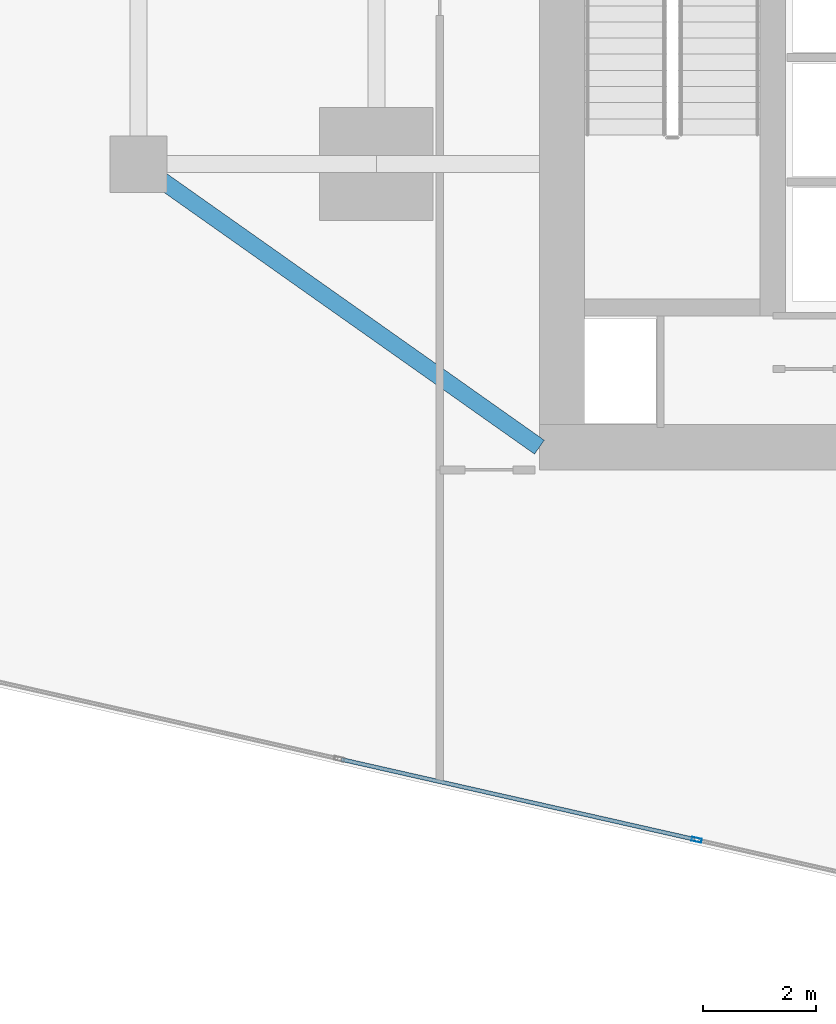
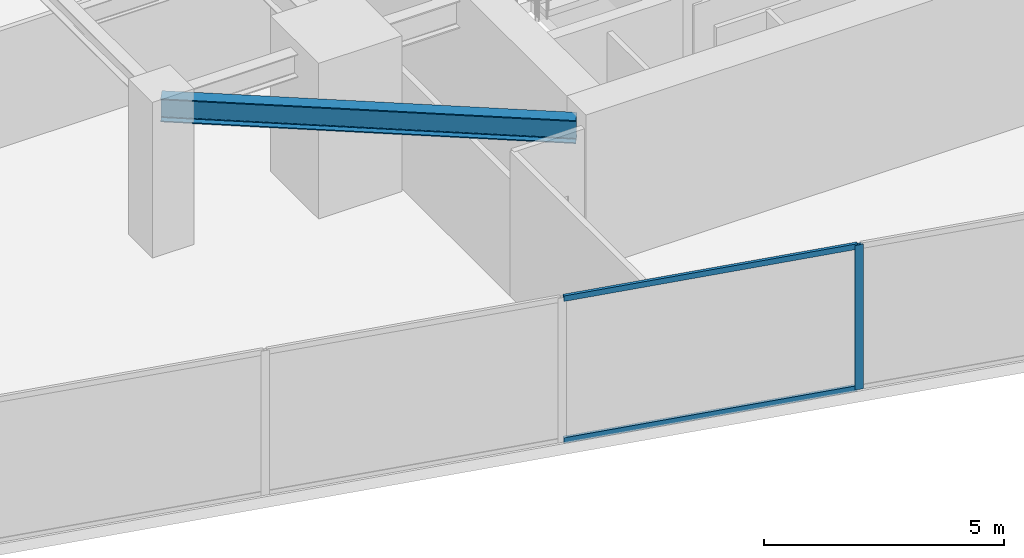
# One storey, part 4 of 26: 3 members, 1 beam, 1 element without a shape of its own.
"""IFC4 building model written with IfcOpenShell, lengths in metres."""

from ifc_helpers import new_model, si_unit, direction, frame, origin, origin_2d, place, context, subcontext, project, spatial, hollow_rectangle, i_section, extrude, source, transform, mapped, material, material_profile, profile_set, type_object, type_shapes, element, aggregate, save


model = new_model("IFC4")

# Units and contexts
model_context = context("Model", 3, precision=1e-05, world=origin(), true_north=direction((0.0, 1.0)))
body_context = subcontext(model_context, "Body", "Model", "MODEL_VIEW")
ifc_project = project(units=[si_unit("LENGTHUNIT", "METRE"), si_unit("AREAUNIT", "SQUARE_METRE"), si_unit("VOLUMEUNIT", "CUBIC_METRE"), si_unit("PLANEANGLEUNIT", "RADIAN"), si_unit("MASSUNIT", "GRAM", prefix="KILO")], contexts=[model_context])

# Site, building, storey
site_placement = place(None, origin())
site = spatial("IfcSite", under=ifc_project, at=site_placement, CompositionType="ELEMENT")
building_placement = place(site_placement, origin())
building = spatial("IfcBuilding", under=site, at=building_placement, Name="Krantzveldt Concourse Tower", CompositionType="ELEMENT")
storey_placement = place(building_placement, frame((0.0, 0.0, 90.050048828125)))
storey = spatial("IfcBuildingStorey", under=building, at=storey_placement, Name="L21", CompositionType="ELEMENT", Elevation=90.050048828125)

# Beam
ifc_material_1 = material(Name="Steel S355JR", Category="steel")
ifc_material_profile_1 = material_profile(ifc_material_1, i_section(OverallWidth=0.300048828125, OverallDepth=0.590087890625, WebThickness=0.012939453125, FlangeThickness=0.02490234375, FilletRadius=0.027099609375, at=origin_2d()), Name="Steel S355JR", Category="steel")
ifc_profile_set_1 = profile_set([ifc_material_profile_1], Name="Steel S355JR - HEA 600")
beam_type = type_object("IfcBeamType", Name="BM-B-HEA600", PredefinedType="BEAM", material=ifc_profile_set_1)
shared_shape_1 = source(origin(), body_context, "Body", "SweptSolid", [
    extrude(i_section(OverallWidth=0.300048828125, OverallDepth=0.590087890625, WebThickness=0.012939453125, FlangeThickness=0.02490234375, FilletRadius=0.027099609375, at=origin_2d()), origin(), (0.0, 0.0, 1.0), 8.667724609375),
])
type_shapes(beam_type, [shared_shape_1])
beam_placement = place(storey_placement, frame((21.0, 15.89990234375, 3.375), z_axis=(0.81684294656, -0.576860122261, 0.0), x_axis=(0.576860122261, 0.81684294656, 0.0)))
element("IfcBeam", 1, at=beam_placement, inside=storey, type_object=beam_type, Name="L21 Tower Girder BR-CSW", PredefinedType="BEAM", context=body_context, shape_type="MappedRepresentation", body=[
    mapped(shared_shape_1, transform((0.0, 0.0, 0.0), x_axis=(1.0, 0.0, 0.0), y_axis=(0.0, 1.0, 0.0), z_axis=(0.0, 0.0, 1.0), scale=1.0)),
])

# Curtain wall, members
ifc_material_2 = material(Name="Anodised aluminium 6063-T6", Category="aluminium")
curtain_wall_type = type_object("IfcCurtainWallType", Name="CW2", PredefinedType="USERDEFINED", material=ifc_material_2)
curtain_wall_placement = place(storey_placement, origin())
curtain_wall = element("IfcCurtainWall", 2, at=curtain_wall_placement, inside=storey, type_object=curtain_wall_type, Name="CW-L21-F04", ObjectType="UNITISED CURTAIN WALL", PredefinedType="USERDEFINED")
ifc_material_profile_2 = material_profile(ifc_material_2, hollow_rectangle(XDim=0.070068359375, YDim=0.179931640625, WallThickness=0.0048828125, at=origin_2d()), Name="Anodised aluminium 6063-T6", Category="aluminium")
ifc_profile_set_2 = profile_set([ifc_material_profile_2], Name="Anodised aluminium 6063-T6 - ALU-MULL 180x70x5")
member_type_1 = type_object("IfcMemberType", Name="CW-MUL-180", PredefinedType="MULLION", material=ifc_profile_set_2)
shared_shape_2 = source(origin(), body_context, "Body", "SweptSolid", [
    extrude(hollow_rectangle(XDim=0.070068359375, YDim=0.179931640625, WallThickness=0.0048828125, at=origin_2d()), origin(), (0.0, 0.0, 1.0), 3.669921875),
])
type_shapes(member_type_1, [shared_shape_2])
member_1_placement = place(storey_placement, frame((30.85546875, 3.96484375, 0.0), z_axis=(0.0, 0.0, 1.0), x_axis=(0.220697434579, 0.975342320609, 0.0)))
member_1 = element("IfcMember", 3, at=member_1_placement, type_object=member_type_1, Name="CW-Z12 mullion 4", PredefinedType="MULLION", context=body_context, shape_type="MappedRepresentation", body=[
    mapped(shared_shape_2, transform((0.0, 0.0, 0.0), x_axis=(1.0, 0.0, 0.0), y_axis=(0.0, 1.0, 0.0), z_axis=(0.0, 0.0, 1.0), scale=1.0)),
])
ifc_material_profile_3 = material_profile(ifc_material_2, hollow_rectangle(XDim=0.070068359375, YDim=0.139892578125, WallThickness=0.0048828125, at=origin_2d()), Name="Anodised aluminium 6063-T6", Category="aluminium")
ifc_profile_set_3 = profile_set([ifc_material_profile_3], Name="Anodised aluminium 6063-T6 - ALU-TRAN 140x70x5")
member_type_2 = type_object("IfcMemberType", Name="CW-TRN-150", PredefinedType="USERDEFINED", material=ifc_profile_set_3)
shared_shape_3 = source(origin(), body_context, "Body", "SweptSolid", [
    extrude(hollow_rectangle(XDim=0.070068359375, YDim=0.139892578125, WallThickness=0.0048828125, at=origin_2d()), origin(), (0.0, 0.0, 1.0), 6.396484375),
])
type_shapes(member_type_2, [shared_shape_3])
member_2_placement = place(storey_placement, frame((24.58251953125, 5.38427734375, 0.034912109375), z_axis=(0.975336403615, -0.2207235823, 0.0), x_axis=(0.2207235823, 0.975336403615, 0.0)))
member_2 = element("IfcMember", 4, at=member_2_placement, type_object=member_type_2, Name="CW-Z12 transom 3.1", ObjectType="TRANSOM", PredefinedType="USERDEFINED", context=body_context, shape_type="MappedRepresentation", body=[
    mapped(shared_shape_3, transform((0.0, 0.0, 0.0), x_axis=(1.0, 0.0, 0.0), y_axis=(0.0, 1.0, 0.0), z_axis=(0.0, 0.0, 1.0), scale=1.0)),
])
member_3_placement = place(storey_placement, frame((24.58251953125, 5.38427734375, 3.635009765625), z_axis=(0.975336403615, -0.2207235823, 0.0), x_axis=(0.2207235823, 0.975336403615, 0.0)))
member_3 = element("IfcMember", 5, at=member_3_placement, type_object=member_type_2, Name="CW-Z12 transom 3.2", ObjectType="TRANSOM", PredefinedType="USERDEFINED", context=body_context, shape_type="MappedRepresentation", body=[
    mapped(shared_shape_3, transform((0.0, 0.0, 0.0), x_axis=(1.0, 0.0, 0.0), y_axis=(0.0, 1.0, 0.0), z_axis=(0.0, 0.0, 1.0), scale=1.0)),
])
aggregate(curtain_wall, [member_1, member_2, member_3])

save(model, "model.ifc")
